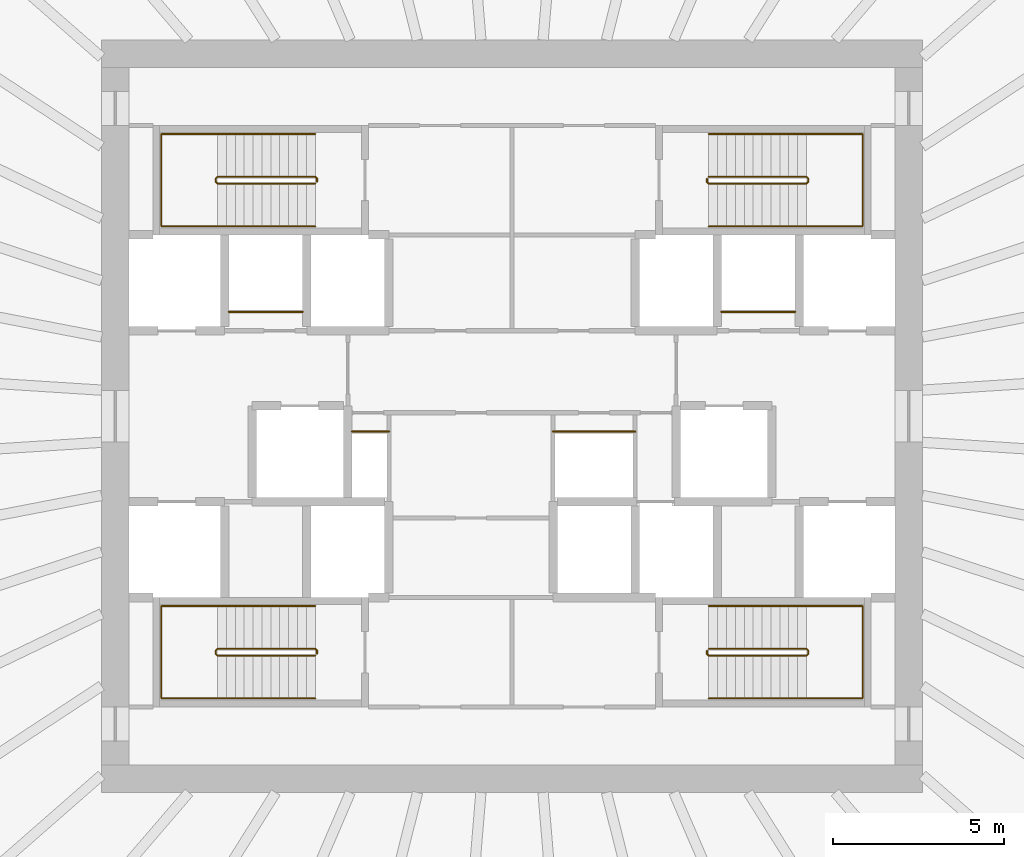
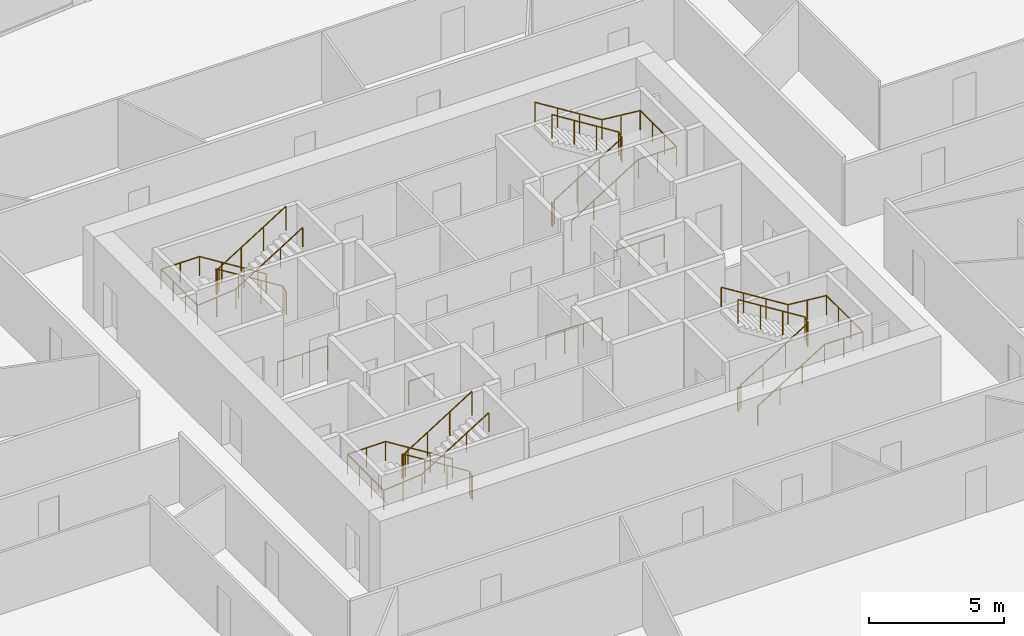
# One storey, part 10 of 10: 12 railings.
"""IFC4 building model written with IfcOpenShell, lengths in metres."""

from ifc_helpers import new_model, si_unit, direction, frame, origin, origin_2d, place, context, subcontext, project, spatial, circle, extrude, source, transform, mapped, material, type_object, element, save


model = new_model("IFC4")

# Units and contexts
model_context = context("Model", 3, precision=1e-05, world=origin(), true_north=direction((0.0, 1.0)))
body_context = subcontext(model_context, "Body", "Model", "MODEL_VIEW")
ifc_project = project(units=[si_unit("LENGTHUNIT", "METRE"), si_unit("AREAUNIT", "SQUARE_METRE"), si_unit("VOLUMEUNIT", "CUBIC_METRE"), si_unit("PLANEANGLEUNIT", "RADIAN"), si_unit("MASSUNIT", "GRAM", prefix="KILO")], contexts=[model_context])

# Site, building, storey
site_placement = place(None, origin())
site = spatial("IfcSite", under=ifc_project, at=site_placement, CompositionType="ELEMENT")
building_placement = place(site_placement, origin())
building = spatial("IfcBuilding", under=site, at=building_placement, Name="Embergate Tower", CompositionType="ELEMENT")
storey_placement = place(building_placement, frame((0.0, 0.0, 156.0)))
storey = spatial("IfcBuildingStorey", under=building, at=storey_placement, Name="L34", CompositionType="ELEMENT", Elevation=156.0)

# Railings
ifc_material_1 = material(Name="Stair guard 1100")
railing_type_1 = type_object("IfcRailingType", Name="Stair guard 1100", PredefinedType="GUARDRAIL", material=ifc_material_1)
shared_shape_1 = source(origin(), body_context, "Body", "SweptSolid", [
    extrude(circle(Radius=0.02392578125, at=origin_2d()), frame((0.0, 0.0, 1.076171875), z_axis=(0.0, 1.0, 0.0), x_axis=(-1.0, 0.0, 0.0)), (0.0, 0.0, 1.0), 0.099853515625),
    extrude(circle(Radius=0.02392578125, at=origin_2d()), frame((0.0, 0.099853515625, 1.076171875), z_axis=(-0.282227285176, 0.282227285176, 0.916894497205), x_axis=(-0.707106781187, -0.707106781187, 0.0)), (0.0, 0.0, 1.0), 0.17724609375),
    extrude(circle(Radius=0.02392578125, at=origin_2d()), frame((-0.050048828125, 0.14990234375, 1.23876953125), z_axis=(-0.848026770018, 0.0, 0.529953391661), x_axis=(0.0, -1.0, 0.0)), (0.0, 0.0, 1.0), 3.37255859375),
    extrude(circle(Radius=0.02392578125, at=origin_2d()), frame((-2.91015625, 0.14990234375, 3.02587890625), z_axis=(-0.705375805398, -0.708833529934, 0.0), x_axis=(0.708833529934, -0.705375805398, 0.0)), (0.0, 0.0, 1.0), 0.070556640625),
    extrude(circle(Radius=0.02392578125, at=origin_2d()), frame((-2.9599609375, 0.099853515625, 3.02587890625), z_axis=(0.0, -1.0, 0.0), x_axis=(1.0, 0.0, 0.0)), (0.0, 0.0, 1.0), 0.099853515625),
    extrude(circle(Radius=0.02392578125, at=origin_2d()), frame((-2.9599609375, 0.0, 3.02587890625), z_axis=(0.280959487676, -0.282336740067, 0.917250092119), x_axis=(0.708833529934, 0.705375805398, 0.0)), (0.0, 0.0, 1.0), 0.17724609375),
    extrude(circle(Radius=0.02392578125, at=origin_2d()), frame((-2.91015625, -0.050048828125, 3.1884765625), z_axis=(0.848026770018, 0.0, 0.529953391661), x_axis=(0.0, 1.0, 0.0)), (0.0, 0.0, 1.0), 3.37255859375),
    extrude(circle(Radius=0.02099609375, at=origin_2d()), origin(), (0.0, 0.0, 1.0), 1.052001953125),
    extrude(circle(Radius=0.02099609375, at=origin_2d()), frame((0.0, 0.099853515625, 0.0)), (0.0, 0.0, 1.0), 1.052001953125),
    extrude(circle(Radius=0.02099609375, at=origin_2d()), frame((-0.050048828125, 0.14990234375, 0.16259765625)), (0.0, 0.0, 1.0), 1.052001953125),
    extrude(circle(Radius=0.02099609375, at=origin_2d()), frame((-1.00341796875, 0.14990234375, 0.75830078125)), (0.0, 0.0, 1.0), 1.052001953125),
    extrude(circle(Radius=0.02099609375, at=origin_2d()), frame((-1.956787109375, 0.14990234375, 1.354248046875)), (0.0, 0.0, 1.0), 1.052001953125),
    extrude(circle(Radius=0.02099609375, at=origin_2d()), frame((-2.91015625, 0.14990234375, 1.949951171875)), (0.0, 0.0, 1.0), 1.052001953125),
    extrude(circle(Radius=0.02099609375, at=origin_2d()), frame((-2.9599609375, 0.099853515625, 1.949951171875)), (0.0, 0.0, 1.0), 1.052001953125),
    extrude(circle(Radius=0.02099609375, at=origin_2d()), frame((-2.9599609375, 0.0, 1.949951171875)), (0.0, 0.0, 1.0), 1.052001953125),
    extrude(circle(Radius=0.02099609375, at=origin_2d()), frame((-2.91015625, -0.050048828125, 2.112548828125)), (0.0, 0.0, 1.0), 1.052001953125),
    extrude(circle(Radius=0.02099609375, at=origin_2d()), frame((-1.956787109375, -0.050048828125, 2.708251953125)), (0.0, 0.0, 1.0), 1.052001953125),
    extrude(circle(Radius=0.02099609375, at=origin_2d()), frame((-1.00341796875, -0.050048828125, 3.30419921875)), (0.0, 0.0, 1.0), 1.052001953125),
    extrude(circle(Radius=0.02099609375, at=origin_2d()), frame((-0.050048828125, -0.050048828125, 3.89990234375)), (0.0, 0.0, 1.0), 1.052001953125),
])
for number, where, name in (
    (1, (-5.699951171875, 6.85009765625, 0.0), "L34 ST1 stair guard 1"),
    (2, (-5.699951171875, -6.949951171875, 0.0), "L34 ST3 stair guard 1"),
):
    element("IfcRailing", number, at=place(storey_placement, frame(where)), inside=storey, type_object=railing_type_1, Name=name, PredefinedType="GUARDRAIL", context=body_context, shape_type="MappedRepresentation", body=[
        mapped(shared_shape_1, transform((0.0, 0.0, 0.0))),
    ])
ifc_material_2 = material(Name="Stair handrail 900")
railing_type_2 = type_object("IfcRailingType", Name="Stair handrail 900", PredefinedType="HANDRAIL", material=ifc_material_2)
shared_shape_2 = source(origin(), body_context, "Body", "SweptSolid", [
    extrude(circle(Radius=0.02392578125, at=origin_2d()), frame((0.0, 0.0, 0.8759765625), z_axis=(-0.848026770018, 0.0, 0.529953391661), x_axis=(0.0, -1.0, 0.0)), (0.0, 0.0, 1.0), 3.37255859375),
    extrude(circle(Radius=0.02392578125, at=origin_2d()), frame((-2.860107421875, 0.0, 2.6630859375), z_axis=(-1.0, 0.0, 0.0), x_axis=(0.0, -1.0, 0.0)), (0.0, 0.0, 1.0), 1.639892578125),
    extrude(circle(Radius=0.02392578125, at=origin_2d()), frame((-4.5, 0.0, 2.6630859375), z_axis=(0.0, -1.0, 0.0), x_axis=(1.0, 0.0, 0.0)), (0.0, 0.0, 1.0), 2.699951171875),
    extrude(circle(Radius=0.02392578125, at=origin_2d()), frame((-4.5, -2.699951171875, 2.6630859375), z_axis=(0.995120448088, 0.0, 0.098667592441), x_axis=(0.0, 1.0, 0.0)), (0.0, 0.0, 1.0), 1.64794921875),
    extrude(circle(Radius=0.02392578125, at=origin_2d()), frame((-2.860107421875, -2.699951171875, 2.82568359375), z_axis=(0.848026770018, 0.0, 0.529953391661), x_axis=(0.0, 1.0, 0.0)), (0.0, 0.0, 1.0), 3.37255859375),
    extrude(circle(Radius=0.02099609375, at=origin_2d()), origin(), (0.0, 0.0, 1.0), 0.851806640625),
    extrude(circle(Radius=0.02099609375, at=origin_2d()), frame((-0.953369140625, 0.0, 0.595703125)), (0.0, 0.0, 1.0), 0.851806640625),
    extrude(circle(Radius=0.02099609375, at=origin_2d()), frame((-1.90673828125, 0.0, 1.191650390625)), (0.0, 0.0, 1.0), 0.851806640625),
    extrude(circle(Radius=0.02099609375, at=origin_2d()), frame((-2.860107421875, 0.0, 1.787353515625)), (0.0, 0.0, 1.0), 0.851806640625),
    extrude(circle(Radius=0.02099609375, at=origin_2d()), frame((-3.68017578125, 0.0, 1.787353515625)), (0.0, 0.0, 1.0), 0.851806640625),
    extrude(circle(Radius=0.02099609375, at=origin_2d()), frame((-4.5, 0.0, 1.787353515625)), (0.0, 0.0, 1.0), 0.851806640625),
    extrude(circle(Radius=0.02099609375, at=origin_2d()), frame((-4.5, -0.89990234375, 1.787353515625)), (0.0, 0.0, 1.0), 0.851806640625),
    extrude(circle(Radius=0.02099609375, at=origin_2d()), frame((-4.5, -1.800048828125, 1.787353515625)), (0.0, 0.0, 1.0), 0.851806640625),
    extrude(circle(Radius=0.02099609375, at=origin_2d()), frame((-4.5, -2.699951171875, 1.787353515625)), (0.0, 0.0, 1.0), 0.851806640625),
    extrude(circle(Radius=0.02099609375, at=origin_2d()), frame((-3.68017578125, -2.699951171875, 1.86865234375)), (0.0, 0.0, 1.0), 0.851806640625),
    extrude(circle(Radius=0.02099609375, at=origin_2d()), frame((-2.860107421875, -2.699951171875, 1.949951171875)), (0.0, 0.0, 1.0), 0.851806640625),
    extrude(circle(Radius=0.02099609375, at=origin_2d()), frame((-1.90673828125, -2.699951171875, 2.545654296875)), (0.0, 0.0, 1.0), 0.851806640625),
    extrude(circle(Radius=0.02099609375, at=origin_2d()), frame((-0.953369140625, -2.699951171875, 3.1416015625)), (0.0, 0.0, 1.0), 0.851806640625),
    extrude(circle(Radius=0.02099609375, at=origin_2d()), frame((0.0, -2.699951171875, 3.7373046875)), (0.0, 0.0, 1.0), 0.851806640625),
])
for number, where, name in (
    (3, (-5.75, 8.25, 0.16259765625), "L34 ST1 stair handrail 1"),
    (4, (-5.75, -5.550048828125, 0.16259765625), "L34 ST3 stair handrail 1"),
):
    element("IfcRailing", number, at=place(storey_placement, frame(where)), inside=storey, type_object=railing_type_2, Name=name, PredefinedType="HANDRAIL", context=body_context, shape_type="MappedRepresentation", body=[
        mapped(shared_shape_2, transform((0.0, 0.0, 0.0))),
    ])
shared_shape_3 = source(origin(), body_context, "Body", "SweptSolid", [
    extrude(circle(Radius=0.02392578125, at=origin_2d()), frame((0.0, 0.0, 1.076171875), z_axis=(0.0, -1.0, 0.0), x_axis=(1.0, 0.0, 0.0)), (0.0, 0.0, 1.0), 0.099853515625),
    extrude(circle(Radius=0.02392578125, at=origin_2d()), frame((0.0, -0.099853515625, 1.076171875), z_axis=(0.282227285176, -0.282227285176, 0.916894497205), x_axis=(0.707106781187, 0.707106781187, 0.0)), (0.0, 0.0, 1.0), 0.17724609375),
    extrude(circle(Radius=0.02392578125, at=origin_2d()), frame((0.050048828125, -0.14990234375, 1.23876953125), z_axis=(0.848026770018, 0.0, 0.529953391661), x_axis=(0.0, 1.0, 0.0)), (0.0, 0.0, 1.0), 3.37255859375),
    extrude(circle(Radius=0.02392578125, at=origin_2d()), frame((2.91015625, -0.14990234375, 3.02587890625), z_axis=(0.705375805398, 0.708833529934, 0.0), x_axis=(-0.708833529934, 0.705375805398, 0.0)), (0.0, 0.0, 1.0), 0.070556640625),
    extrude(circle(Radius=0.02392578125, at=origin_2d()), frame((2.9599609375, -0.099853515625, 3.02587890625), z_axis=(0.0, 1.0, 0.0), x_axis=(-1.0, 0.0, 0.0)), (0.0, 0.0, 1.0), 0.099853515625),
    extrude(circle(Radius=0.02392578125, at=origin_2d()), frame((2.9599609375, 0.0, 3.02587890625), z_axis=(-0.280959487676, 0.282336740067, 0.917250092119), x_axis=(-0.708833529934, -0.705375805398, 0.0)), (0.0, 0.0, 1.0), 0.17724609375),
    extrude(circle(Radius=0.02392578125, at=origin_2d()), frame((2.91015625, 0.050048828125, 3.1884765625), z_axis=(-0.848026770018, 0.0, 0.529953391661), x_axis=(0.0, -1.0, 0.0)), (0.0, 0.0, 1.0), 3.37255859375),
    extrude(circle(Radius=0.02099609375, at=origin_2d()), origin(), (0.0, 0.0, 1.0), 1.052001953125),
    extrude(circle(Radius=0.02099609375, at=origin_2d()), frame((0.0, -0.099853515625, 0.0)), (0.0, 0.0, 1.0), 1.052001953125),
    extrude(circle(Radius=0.02099609375, at=origin_2d()), frame((0.050048828125, -0.14990234375, 0.16259765625)), (0.0, 0.0, 1.0), 1.052001953125),
    extrude(circle(Radius=0.02099609375, at=origin_2d()), frame((1.00341796875, -0.14990234375, 0.75830078125)), (0.0, 0.0, 1.0), 1.052001953125),
    extrude(circle(Radius=0.02099609375, at=origin_2d()), frame((1.956787109375, -0.14990234375, 1.354248046875)), (0.0, 0.0, 1.0), 1.052001953125),
    extrude(circle(Radius=0.02099609375, at=origin_2d()), frame((2.91015625, -0.14990234375, 1.949951171875)), (0.0, 0.0, 1.0), 1.052001953125),
    extrude(circle(Radius=0.02099609375, at=origin_2d()), frame((2.9599609375, -0.099853515625, 1.949951171875)), (0.0, 0.0, 1.0), 1.052001953125),
    extrude(circle(Radius=0.02099609375, at=origin_2d()), frame((2.9599609375, 0.0, 1.949951171875)), (0.0, 0.0, 1.0), 1.052001953125),
    extrude(circle(Radius=0.02099609375, at=origin_2d()), frame((2.91015625, 0.050048828125, 2.112548828125)), (0.0, 0.0, 1.0), 1.052001953125),
    extrude(circle(Radius=0.02099609375, at=origin_2d()), frame((1.956787109375, 0.050048828125, 2.708251953125)), (0.0, 0.0, 1.0), 1.052001953125),
    extrude(circle(Radius=0.02099609375, at=origin_2d()), frame((1.00341796875, 0.050048828125, 3.30419921875)), (0.0, 0.0, 1.0), 1.052001953125),
    extrude(circle(Radius=0.02099609375, at=origin_2d()), frame((0.050048828125, 0.050048828125, 3.89990234375)), (0.0, 0.0, 1.0), 1.052001953125),
])
for number, where, name in (
    (5, (5.699951171875, 6.949951171875, 0.0), "L34 ST2 stair guard 1"),
    (6, (5.699951171875, -6.85009765625, 0.0), "L34 ST4 stair guard 1"),
):
    element("IfcRailing", number, at=place(storey_placement, frame(where)), inside=storey, type_object=railing_type_1, Name=name, PredefinedType="GUARDRAIL", context=body_context, shape_type="MappedRepresentation", body=[
        mapped(shared_shape_3, transform((0.0, 0.0, 0.0))),
    ])
shared_shape_4 = source(origin(), body_context, "Body", "SweptSolid", [
    extrude(circle(Radius=0.02392578125, at=origin_2d()), frame((0.0, 0.0, 0.8759765625), z_axis=(0.848026770018, 0.0, 0.529953391661), x_axis=(0.0, 1.0, 0.0)), (0.0, 0.0, 1.0), 3.37255859375),
    extrude(circle(Radius=0.02392578125, at=origin_2d()), frame((2.860107421875, 0.0, 2.6630859375), z_axis=(1.0, 0.0, 0.0), x_axis=(0.0, 1.0, 0.0)), (0.0, 0.0, 1.0), 1.639892578125),
    extrude(circle(Radius=0.02392578125, at=origin_2d()), frame((4.5, 0.0, 2.6630859375), z_axis=(0.0, 1.0, 0.0), x_axis=(-1.0, 0.0, 0.0)), (0.0, 0.0, 1.0), 2.699951171875),
    extrude(circle(Radius=0.02392578125, at=origin_2d()), frame((4.5, 2.699951171875, 2.6630859375), z_axis=(-0.995120448088, 0.0, 0.098667592441), x_axis=(0.0, -1.0, 0.0)), (0.0, 0.0, 1.0), 1.64794921875),
    extrude(circle(Radius=0.02392578125, at=origin_2d()), frame((2.860107421875, 2.699951171875, 2.82568359375), z_axis=(-0.848026770018, 0.0, 0.529953391661), x_axis=(0.0, -1.0, 0.0)), (0.0, 0.0, 1.0), 3.37255859375),
    extrude(circle(Radius=0.02099609375, at=origin_2d()), origin(), (0.0, 0.0, 1.0), 0.851806640625),
    extrude(circle(Radius=0.02099609375, at=origin_2d()), frame((0.953369140625, 0.0, 0.595703125)), (0.0, 0.0, 1.0), 0.851806640625),
    extrude(circle(Radius=0.02099609375, at=origin_2d()), frame((1.90673828125, 0.0, 1.191650390625)), (0.0, 0.0, 1.0), 0.851806640625),
    extrude(circle(Radius=0.02099609375, at=origin_2d()), frame((2.860107421875, 0.0, 1.787353515625)), (0.0, 0.0, 1.0), 0.851806640625),
    extrude(circle(Radius=0.02099609375, at=origin_2d()), frame((3.68017578125, 0.0, 1.787353515625)), (0.0, 0.0, 1.0), 0.851806640625),
    extrude(circle(Radius=0.02099609375, at=origin_2d()), frame((4.5, 0.0, 1.787353515625)), (0.0, 0.0, 1.0), 0.851806640625),
    extrude(circle(Radius=0.02099609375, at=origin_2d()), frame((4.5, 0.89990234375, 1.787353515625)), (0.0, 0.0, 1.0), 0.851806640625),
    extrude(circle(Radius=0.02099609375, at=origin_2d()), frame((4.5, 1.800048828125, 1.787353515625)), (0.0, 0.0, 1.0), 0.851806640625),
    extrude(circle(Radius=0.02099609375, at=origin_2d()), frame((4.5, 2.699951171875, 1.787353515625)), (0.0, 0.0, 1.0), 0.851806640625),
    extrude(circle(Radius=0.02099609375, at=origin_2d()), frame((3.68017578125, 2.699951171875, 1.86865234375)), (0.0, 0.0, 1.0), 0.851806640625),
    extrude(circle(Radius=0.02099609375, at=origin_2d()), frame((2.860107421875, 2.699951171875, 1.949951171875)), (0.0, 0.0, 1.0), 0.851806640625),
    extrude(circle(Radius=0.02099609375, at=origin_2d()), frame((1.90673828125, 2.699951171875, 2.545654296875)), (0.0, 0.0, 1.0), 0.851806640625),
    extrude(circle(Radius=0.02099609375, at=origin_2d()), frame((0.953369140625, 2.699951171875, 3.1416015625)), (0.0, 0.0, 1.0), 0.851806640625),
    extrude(circle(Radius=0.02099609375, at=origin_2d()), frame((0.0, 2.699951171875, 3.7373046875)), (0.0, 0.0, 1.0), 0.851806640625),
])
for number, where, name in (
    (7, (5.75, 5.550048828125, 0.16259765625), "L34 ST2 stair handrail 1"),
    (8, (5.75, -8.25, 0.16259765625), "L34 ST4 stair handrail 1"),
):
    element("IfcRailing", number, at=place(storey_placement, frame(where)), inside=storey, type_object=railing_type_2, Name=name, PredefinedType="HANDRAIL", context=body_context, shape_type="MappedRepresentation", body=[
        mapped(shared_shape_4, transform((0.0, 0.0, 0.0))),
    ])
ifc_material_3 = material(Name="Opening guard 1100")
railing_type_3 = type_object("IfcRailingType", Name="Opening guard 1100", PredefinedType="GUARDRAIL", material=ifc_material_3)
shared_shape_5 = source(origin(), body_context, "Body", "SweptSolid", [
    extrude(circle(Radius=0.02392578125, at=origin_2d()), frame((0.0, 0.0, 1.076171875), z_axis=(1.0, 0.0, 0.0), x_axis=(0.0, 1.0, 0.0)), (0.0, 0.0, 1.0), 2.14990234375),
    extrude(circle(Radius=0.02099609375, at=origin_2d()), origin(), (0.0, 0.0, 1.0), 1.052001953125),
    extrude(circle(Radius=0.02099609375, at=origin_2d()), frame((1.074951171875, 0.0, 0.0)), (0.0, 0.0, 1.0), 1.052001953125),
    extrude(circle(Radius=0.02099609375, at=origin_2d()), frame((2.14990234375, 0.0, 0.0)), (0.0, 0.0, 1.0), 1.052001953125),
])
for number, where, name in (
    (9, (-8.27490234375, 3.050048828125, 0.0), "Riser opening guard"),
    (10, (6.125, 3.050048828125, 0.0), "Riser opening guard"),
):
    element("IfcRailing", number, at=place(storey_placement, frame(where)), inside=storey, type_object=railing_type_3, Name=name, PredefinedType="GUARDRAIL", context=body_context, shape_type="MappedRepresentation", body=[
        mapped(shared_shape_5, transform((0.0, 0.0, 0.0))),
    ])
shared_shape_6 = source(origin(), body_context, "Body", "SweptSolid", [
    extrude(circle(Radius=0.02392578125, at=origin_2d()), frame((0.0, 0.0, 1.076171875), z_axis=(1.0, 0.0, 0.0), x_axis=(0.0, 1.0, 0.0)), (0.0, 0.0, 1.0), 1.074951171875),
    extrude(circle(Radius=0.02099609375, at=origin_2d()), origin(), (0.0, 0.0, 1.0), 1.052001953125),
    extrude(circle(Radius=0.02099609375, at=origin_2d()), frame((1.074951171875, 0.0, 0.0)), (0.0, 0.0, 1.0), 1.052001953125),
])
railing_1_placement = place(storey_placement, frame((-4.675048828125, -0.449951171875, 0.0)))
element("IfcRailing", 11, at=railing_1_placement, inside=storey, type_object=railing_type_3, Name="Riser opening guard", PredefinedType="GUARDRAIL", context=body_context, shape_type="MappedRepresentation", body=[
    mapped(shared_shape_6, transform((0.0, 0.0, 0.0))),
])
shared_shape_7 = source(origin(), body_context, "Body", "SweptSolid", [
    extrude(circle(Radius=0.02392578125, at=origin_2d()), frame((0.0, 0.0, 1.076171875), z_axis=(1.0, 0.0, 0.0), x_axis=(0.0, 1.0, 0.0)), (0.0, 0.0, 1.0), 2.400146484375),
    extrude(circle(Radius=0.02099609375, at=origin_2d()), origin(), (0.0, 0.0, 1.0), 1.052001953125),
    extrude(circle(Radius=0.02099609375, at=origin_2d()), frame((0.800048828125, 0.0, 0.0)), (0.0, 0.0, 1.0), 1.052001953125),
    extrude(circle(Radius=0.02099609375, at=origin_2d()), frame((1.60009765625, 0.0, 0.0)), (0.0, 0.0, 1.0), 1.052001953125),
    extrude(circle(Radius=0.02099609375, at=origin_2d()), frame((2.400146484375, 0.0, 0.0)), (0.0, 0.0, 1.0), 1.052001953125),
])
railing_2_placement = place(storey_placement, frame((1.199951171875, -0.449951171875, 0.0)))
element("IfcRailing", 12, at=railing_2_placement, inside=storey, type_object=railing_type_3, Name="Riser opening guard", PredefinedType="GUARDRAIL", context=body_context, shape_type="MappedRepresentation", body=[
    mapped(shared_shape_7, transform((0.0, 0.0, 0.0))),
])

save(model, "model.ifc")
